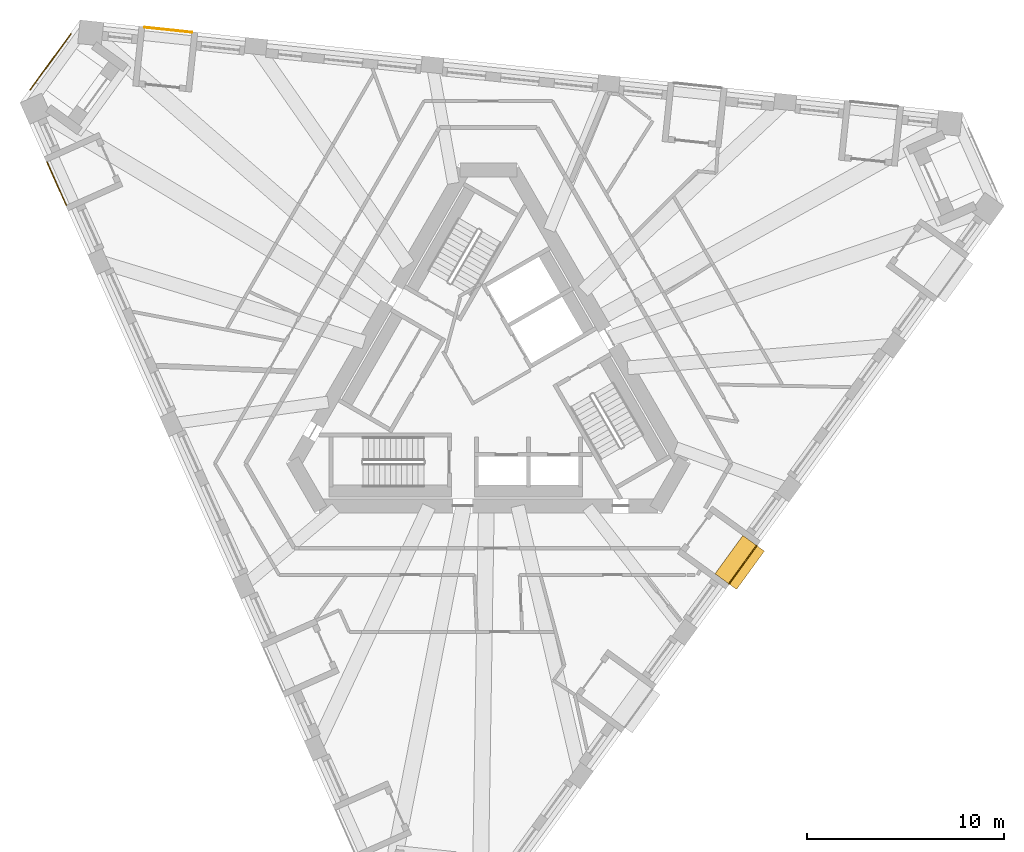
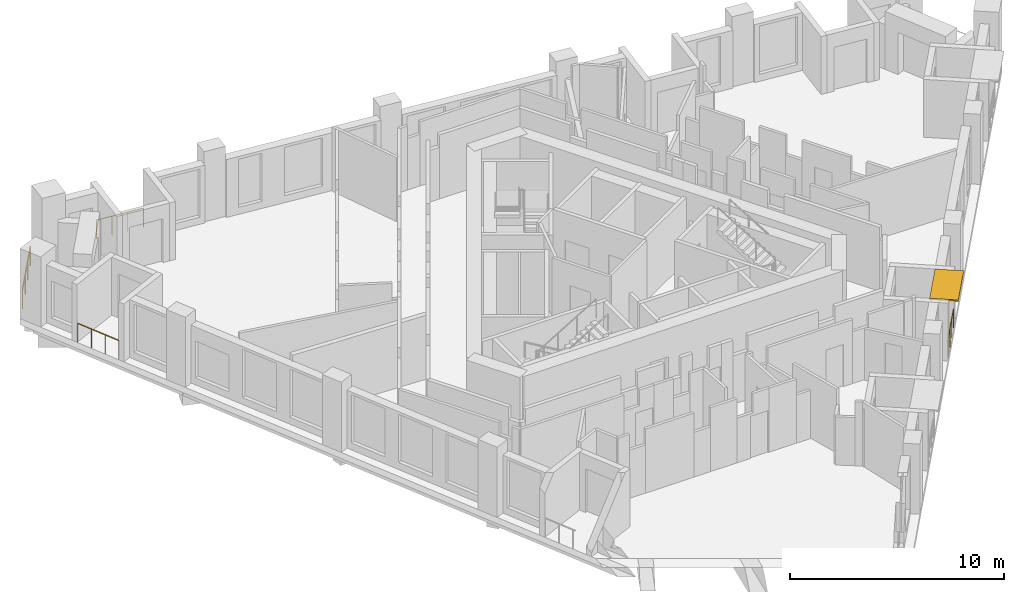
# One storey, part 10 of 11: 4 railings, 1 shading device.
"""IFC4 building model written with IfcOpenShell, lengths in metres."""

from ifc_helpers import new_model, si_unit, direction, frame, origin, origin_2d, place, context, subcontext, project, spatial, rectangle, circle, extrude, material, layer, layer_set, type_object, element, save


model = new_model("IFC4")

# Units and contexts
model_context = context("Model", 3, precision=1e-05, world=origin(), true_north=direction((0.0, 1.0)))
body_context = subcontext(model_context, "Body", "Model", "MODEL_VIEW")
ifc_project = project(units=[si_unit("LENGTHUNIT", "METRE"), si_unit("AREAUNIT", "SQUARE_METRE"), si_unit("VOLUMEUNIT", "CUBIC_METRE"), si_unit("PLANEANGLEUNIT", "RADIAN"), si_unit("MASSUNIT", "GRAM", prefix="KILO")], contexts=[model_context])

# Site, building, storey
site_placement = place(None, origin())
site = spatial("IfcSite", under=ifc_project, at=site_placement, CompositionType="ELEMENT")
building_placement = place(site_placement, origin())
building = spatial("IfcBuilding", under=site, at=building_placement, Name="Tramontana Tower", CompositionType="ELEMENT")
storey_placement = place(building_placement, frame((0.0, 0.0, 265.199951171875)))
storey = spatial("IfcBuildingStorey", under=building, at=storey_placement, Name="L62", CompositionType="ELEMENT", Elevation=265.199951171875)

# Railings
ifc_material_1 = material(Name="Laminated glass balustrade", Category="glass")
railing_type = type_object("IfcRailingType", Name="GD1 Loggia glass balustrade 1100", PredefinedType="BALUSTRADE", material=ifc_material_1)
railing_1_placement = place(storey_placement, frame((-22.404541015625, 11.0576171875, 0.0)))
element("IfcRailing", 1, at=railing_1_placement, inside=storey, type_object=railing_type, Name="Loggia balustrade L62 G6S0.1", PredefinedType="BALUSTRADE", context=body_context, shape_type="SweptSolid", body=[
    extrude(circle(Radius=0.02392578125, at=origin_2d()), frame((0.0, 0.0, 1.076171875), z_axis=(0.406723017018, -0.913551524232, 0.0), x_axis=(0.913551524232, 0.406723017018, 0.0)), (0.0, 0.0, 1.0), 2.40234375),
    extrude(circle(Radius=0.02099609375, at=origin_2d()), origin(), (0.0, 0.0, 1.0), 1.052001953125),
    extrude(circle(Radius=0.02099609375, at=origin_2d()), frame((0.32568359375, -0.7314453125, 0.0)), (0.0, 0.0, 1.0), 1.052001953125),
    extrude(circle(Radius=0.02099609375, at=origin_2d()), frame((0.6513671875, -1.463134765625, 0.0)), (0.0, 0.0, 1.0), 1.052001953125),
    extrude(circle(Radius=0.02099609375, at=origin_2d()), frame((0.97705078125, -2.194580078125, 0.0)), (0.0, 0.0, 1.0), 1.052001953125),
])
railing_2_placement = place(storey_placement, frame((12.214111328125, -10.358642578125, 0.0)))
element("IfcRailing", 2, at=railing_2_placement, inside=storey, type_object=railing_type, Name="Loggia balustrade L62 G6S1.7", PredefinedType="BALUSTRADE", context=body_context, shape_type="SweptSolid", body=[
    extrude(circle(Radius=0.02392578125, at=origin_2d()), frame((0.0, 0.0, 1.076171875), z_axis=(0.58776672416, 0.809030455527, 0.0), x_axis=(-0.809030455527, 0.58776672416, 0.0)), (0.0, 0.0, 1.0), 2.402099609375),
    extrude(circle(Radius=0.02099609375, at=origin_2d()), origin(), (0.0, 0.0, 1.0), 1.052001953125),
    extrude(circle(Radius=0.02099609375, at=origin_2d()), frame((0.470703125, 0.647705078125, 0.0)), (0.0, 0.0, 1.0), 1.052001953125),
    extrude(circle(Radius=0.02099609375, at=origin_2d()), frame((0.941162109375, 1.295654296875, 0.0)), (0.0, 0.0, 1.0), 1.052001953125),
    extrude(circle(Radius=0.02099609375, at=origin_2d()), frame((1.411865234375, 1.943359375, 0.0)), (0.0, 0.0, 1.0), 1.052001953125),
])
railing_3_placement = place(storey_placement, frame((-15.05078125, 17.639892578125, 0.0)))
element("IfcRailing", 3, at=railing_3_placement, inside=storey, type_object=railing_type, Name="Loggia balustrade L62 G6S2.13", PredefinedType="BALUSTRADE", context=body_context, shape_type="SweptSolid", body=[
    extrude(circle(Radius=0.02392578125, at=origin_2d()), frame((0.0, 0.0, 1.076171875), z_axis=(-0.994527704951, 0.104473173992, 0.0), x_axis=(-0.104473173992, -0.994527704951, 0.0)), (0.0, 0.0, 1.0), 2.40234375),
    extrude(circle(Radius=0.02099609375, at=origin_2d()), origin(), (0.0, 0.0, 1.0), 1.052001953125),
    extrude(circle(Radius=0.02099609375, at=origin_2d()), frame((-0.79638671875, 0.083740234375, 0.0)), (0.0, 0.0, 1.0), 1.052001953125),
    extrude(circle(Radius=0.02099609375, at=origin_2d()), frame((-1.5927734375, 0.167236328125, 0.0)), (0.0, 0.0, 1.0), 1.052001953125),
    extrude(circle(Radius=0.02099609375, at=origin_2d()), frame((-2.38916015625, 0.2509765625, 0.0)), (0.0, 0.0, 1.0), 1.052001953125),
])
railing_4_placement = place(storey_placement, frame((-23.25244140625, 14.730712890625, 0.0)))
element("IfcRailing", 4, at=railing_4_placement, inside=storey, type_object=railing_type, Name="Corner loggia balustrade L62 K60", PredefinedType="BALUSTRADE", context=body_context, shape_type="SweptSolid", body=[
    extrude(circle(Radius=0.02392578125, at=origin_2d()), frame((0.0, 0.0, 1.076171875), z_axis=(0.587810807352, 0.808998426921, 0.0), x_axis=(-0.808998426921, 0.587810807352, 0.0)), (0.0, 0.0, 1.0), 3.5),
    extrude(circle(Radius=0.02099609375, at=origin_2d()), origin(), (0.0, 0.0, 1.0), 1.052001953125),
    extrude(circle(Radius=0.02099609375, at=origin_2d()), frame((0.685791015625, 0.94384765625, 0.0)), (0.0, 0.0, 1.0), 1.052001953125),
    extrude(circle(Radius=0.02099609375, at=origin_2d()), frame((1.37158203125, 1.8876953125, 0.0)), (0.0, 0.0, 1.0), 1.052001953125),
    extrude(circle(Radius=0.02099609375, at=origin_2d()), frame((2.057373046875, 2.83154296875, 0.0)), (0.0, 0.0, 1.0), 1.052001953125),
])

# Shading device
ifc_material_2 = material(Name="Precast concrete 60 MPa", Category="concrete")
ifc_layer = layer(ifc_material_2, 0.080078125)
ifc_layer_set = layer_set([ifc_layer], Name="SS3 Stone sunshade blade 80")
shading_device_type = type_object("IfcShadingDeviceType", Name="SS3 Stone sunshade blade 80", PredefinedType="USERDEFINED", material=ifc_layer_set)
shading_device_placement = place(storey_placement, frame((12.76220703125, -9.272216796875, 3.219970703125), z_axis=(0.0, 0.0, 1.0), x_axis=(0.587785252292, 0.809016994375, 0.0)))
element("IfcShadingDevice", 5, at=shading_device_placement, inside=storey, type_object=shading_device_type, Name="Sunshade L62 G6S1.7", ObjectType="SUNSHADE", PredefinedType="USERDEFINED", context=body_context, shape_type="SweptSolid", body=[
    extrude(rectangle(XDim=2.402099609375, YDim=1.35009765625, at=origin_2d()), origin(), (0.0, 0.0, 1.0), 0.080078125),
])

save(model, "model.ifc")
